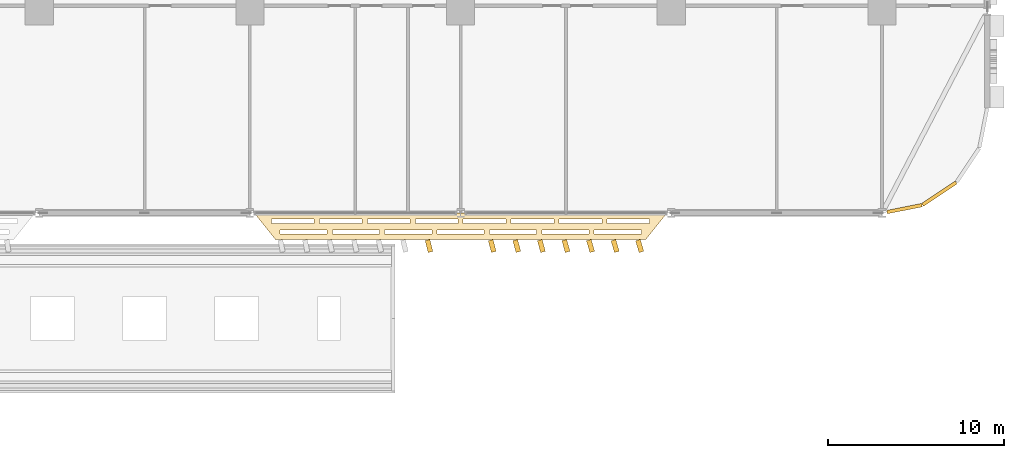
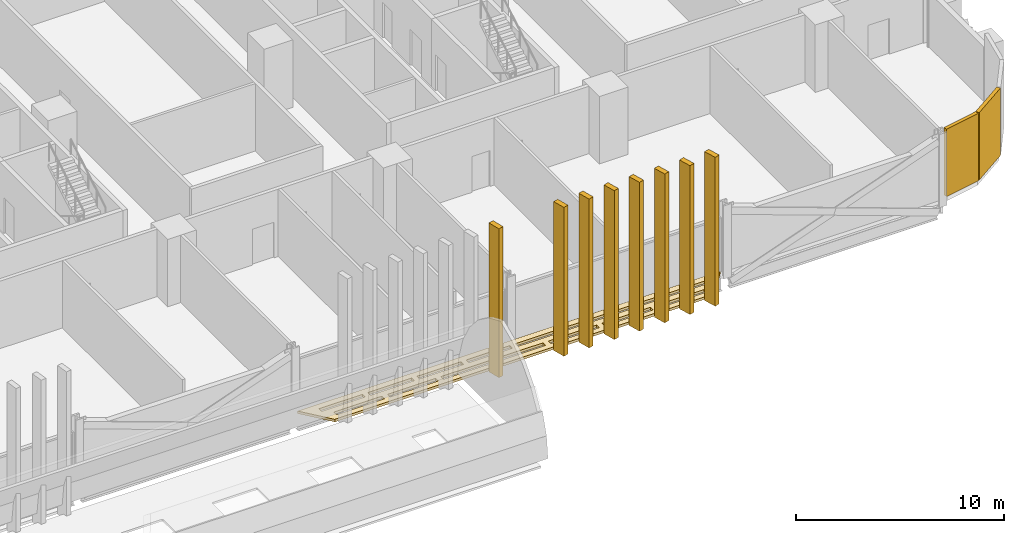
# One storey, part 28 of 31: 11 coverings.
"""IFC4 building model written with IfcOpenShell, lengths in metres."""

from ifc_helpers import new_model, si_unit, direction, frame, origin, origin_2d, place, context, subcontext, project, spatial, polyline, rectangle, outline, extrude, material, layer, layer_set, type_object, element, save


model = new_model("IFC4")

# Units and contexts
model_context = context("Model", 3, precision=1e-05, world=origin(), true_north=direction((0.0, 1.0)))
body_context = subcontext(model_context, "Body", "Model", "MODEL_VIEW")
ifc_project = project(units=[si_unit("LENGTHUNIT", "METRE"), si_unit("AREAUNIT", "SQUARE_METRE"), si_unit("VOLUMEUNIT", "CUBIC_METRE"), si_unit("PLANEANGLEUNIT", "RADIAN"), si_unit("MASSUNIT", "GRAM", prefix="KILO")], contexts=[model_context])

# Site, building, storey
site_placement = place(None, origin())
site = spatial("IfcSite", under=ifc_project, at=site_placement, CompositionType="ELEMENT")
building_placement = place(site_placement, origin())
building = spatial("IfcBuilding", under=site, at=building_placement, Name="Mahtab Terrace Research Tower", CompositionType="ELEMENT")
storey_placement = place(building_placement, frame((0.0, 0.0, 11.5)))
storey = spatial("IfcBuildingStorey", under=building, at=storey_placement, Name="L02", CompositionType="ELEMENT", Elevation=11.5)

# Coverings
ifc_material_1 = material(Name="Black aluminium cladding panel", Category="aluminium")
ifc_layer_1 = layer(ifc_material_1, 0.199951171875)
ifc_layer_set_1 = layer_set([ifc_layer_1], Name="Black metal corner cladding 200")
covering_type_1 = type_object("IfcCoveringType", Name="Black metal corner cladding 200", PredefinedType="CLADDING", material=ifc_layer_set_1)
covering_1_placement = place(storey_placement, frame((43.28173828125, -22.744873046875, 0.0), z_axis=(0.0, 0.0, 1.0), x_axis=(0.980760981187, 0.195212442692, 0.0)))
element("IfcCovering", 1, at=covering_1_placement, inside=storey, type_object=covering_type_1, Name="Corner cladding L02 29", PredefinedType="CLADDING", context=body_context, shape_type="SweptSolid", body=[
    extrude(rectangle(XDim=2.0283203125, YDim=0.199951171875, at=origin_2d()), origin(), (0.0, 0.0, 1.0), 3.9599609375),
])
covering_2_placement = place(storey_placement, frame((45.26953125, -21.89306640625, 0.0), z_axis=(0.0, 0.0, 1.0), x_axis=(0.831655794326, 0.555291490808, 0.0)))
element("IfcCovering", 2, at=covering_2_placement, inside=storey, type_object=covering_type_1, Name="Corner cladding L02 30", PredefinedType="CLADDING", context=body_context, shape_type="SweptSolid", body=[
    extrude(rectangle(XDim=2.30126953125, YDim=0.199951171875, at=origin_2d()), origin(), (0.0, 0.0, 1.0), 3.9599609375),
])
ifc_material_2 = material(Name="Black anodised aluminium", Category="aluminium")
ifc_layer_2 = layer(ifc_material_2, 0.14990234375)
ifc_layer_set_2 = layer_set([ifc_layer_2], Name="Horizontal sunshade band")
covering_type_2 = type_object("IfcCoveringType", Name="Horizontal sunshade band", PredefinedType="CLADDING", material=ifc_layer_set_2)
covering_3_placement = place(storey_placement, frame((0.0, 0.0, -0.14990234375)))
element("IfcCovering", 3, at=covering_3_placement, inside=storey, type_object=covering_type_2, Name="Sunshade band L02 26", PredefinedType="CLADDING", context=body_context, shape_type="SweptSolid", body=[
    extrude(outline(polyline([(6.2490234375, -23.0), (29.7509765625, -23.0), (28.551025390625, -24.5), (7.448974609375, -24.5), (6.2490234375, -23.0)]), holes=[polyline([(7.22900390625, -23.35009765625), (9.658935546875, -23.35009765625), (9.658935546875, -23.60009765625), (7.22900390625, -23.60009765625), (7.22900390625, -23.35009765625)]), polyline([(9.958984375, -23.35009765625), (12.388916015625, -23.35009765625), (12.388916015625, -23.60009765625), (9.958984375, -23.60009765625), (9.958984375, -23.35009765625)]), polyline([(12.68896484375, -23.35009765625), (15.1201171875, -23.35009765625), (15.1201171875, -23.60009765625), (12.68896484375, -23.60009765625), (12.68896484375, -23.35009765625)]), polyline([(15.419921875, -23.35009765625), (17.85009765625, -23.35009765625), (17.85009765625, -23.60009765625), (15.419921875, -23.60009765625), (15.419921875, -23.35009765625)]), polyline([(18.14990234375, -23.35009765625), (20.580078125, -23.35009765625), (20.580078125, -23.60009765625), (18.14990234375, -23.60009765625), (18.14990234375, -23.35009765625)]), polyline([(20.8798828125, -23.35009765625), (23.31005859375, -23.35009765625), (23.31005859375, -23.60009765625), (20.8798828125, -23.60009765625), (20.8798828125, -23.35009765625)]), polyline([(23.611083984375, -23.35009765625), (26.041015625, -23.35009765625), (26.041015625, -23.60009765625), (23.611083984375, -23.60009765625), (23.611083984375, -23.35009765625)]), polyline([(26.341064453125, -23.35009765625), (28.77099609375, -23.35009765625), (28.77099609375, -23.60009765625), (26.341064453125, -23.60009765625), (26.341064453125, -23.35009765625)]), polyline([(7.708984375, -23.949951171875), (10.39208984375, -23.949951171875), (10.39208984375, -24.199951171875), (7.708984375, -24.199951171875), (7.708984375, -23.949951171875)]), polyline([(10.69189453125, -23.949951171875), (13.375, -23.949951171875), (13.375, -24.199951171875), (10.69189453125, -24.199951171875), (10.69189453125, -23.949951171875)]), polyline([(13.675048828125, -23.949951171875), (16.35791015625, -23.949951171875), (16.35791015625, -24.199951171875), (13.675048828125, -24.199951171875), (13.675048828125, -23.949951171875)]), polyline([(16.657958984375, -23.949951171875), (19.342041015625, -23.949951171875), (19.342041015625, -24.199951171875), (16.657958984375, -24.199951171875), (16.657958984375, -23.949951171875)]), polyline([(19.64208984375, -23.949951171875), (22.324951171875, -23.949951171875), (22.324951171875, -24.199951171875), (19.64208984375, -24.199951171875), (19.64208984375, -23.949951171875)]), polyline([(22.625, -23.949951171875), (25.30810546875, -23.949951171875), (25.30810546875, -24.199951171875), (22.625, -24.199951171875), (22.625, -23.949951171875)]), polyline([(25.60791015625, -23.949951171875), (28.291015625, -23.949951171875), (28.291015625, -24.199951171875), (25.60791015625, -24.199951171875), (25.60791015625, -23.949951171875)])]), origin(), (0.0, 0.0, 1.0), 0.14990234375),
])
ifc_material_3 = material(Name="Bronze anodised aluminium", Category="aluminium")
ifc_layer_3 = layer(ifc_material_3, 0.1201171875)
ifc_layer_set_3 = layer_set([ifc_layer_3], Name="Vertical fin 700")
covering_type_3 = type_object("IfcCoveringType", Name="Vertical fin 700", PredefinedType="CLADDING", material=ifc_layer_set_3)
for number, where, z_axis, x_axis, name in (
    (4, (16.199951171875, -24.873291015625, -0.14990234375), (0.0, 0.0, 1.0), (0.970895900159, 0.239501881108, 0.0), "Fin L02 S7"),
    (5, (19.800048828125, -24.8740234375, -0.14990234375), (0.0, 0.0, 1.0), (0.967204452546, 0.253999108219, 0.0), "Fin L02 S1"),
    (6, (21.199951171875, -24.874267578125, -0.14990234375), (0.0, 0.0, 1.0), (0.965710385828, 0.259621745437, 0.0), "Fin L02 S2"),
    (7, (22.60009765625, -24.87451171875, -0.14990234375), (0.0, 0.0, 1.0), (0.964183633406, 0.265235595407, 0.0), "Fin L02 S3"),
    (8, (24.0, -24.874755859375, -0.14990234375), (0.0, 0.0, 1.0), (0.962624246951, 0.270840468138, 0.0), "Fin L02 S4"),
    (9, (25.39990234375, -24.875, -0.14990234375), (0.0, 0.0, 1.0), (0.961032279237, 0.276436173942, 0.0), "Fin L02 S5"),
    (10, (26.800048828125, -24.875244140625, -0.14990234375), (0.0, 0.0, 1.0), (0.959407784156, 0.282022523392, 0.0), "Fin L02 S6"),
    (11, (28.199951171875, -24.87548828125, -0.14990234375), (0.0, 0.0, 1.0), (0.957750816686, 0.287599327427, 0.0), "Fin L02 S7"),
):
    element("IfcCovering", number, at=place(storey_placement, frame(where, z_axis=z_axis, x_axis=x_axis)), inside=storey, type_object=covering_type_3, Name=name, PredefinedType="CLADDING", context=body_context, shape_type="SweptSolid", body=[
        extrude(rectangle(XDim=0.280029296875, YDim=0.699951171875, at=origin_2d()), origin(), (0.0, 0.0, 1.0), 8.75),
    ])

save(model, "model.ifc")
